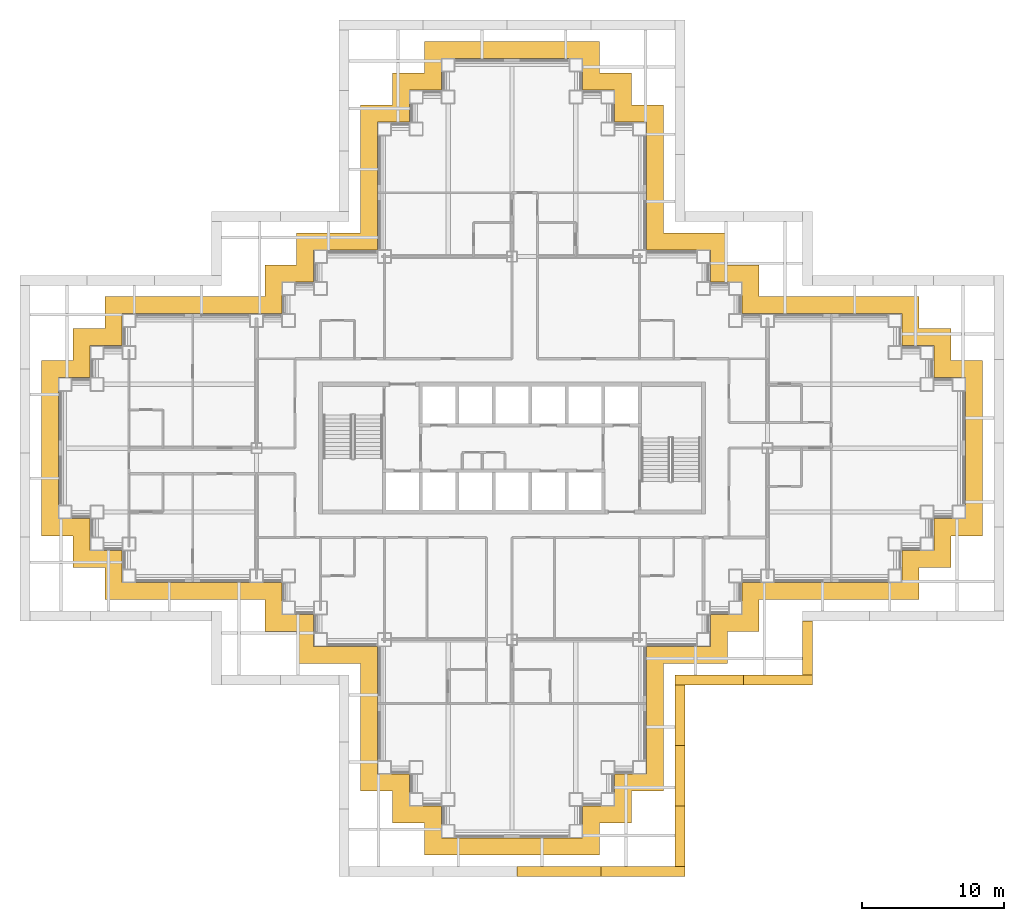
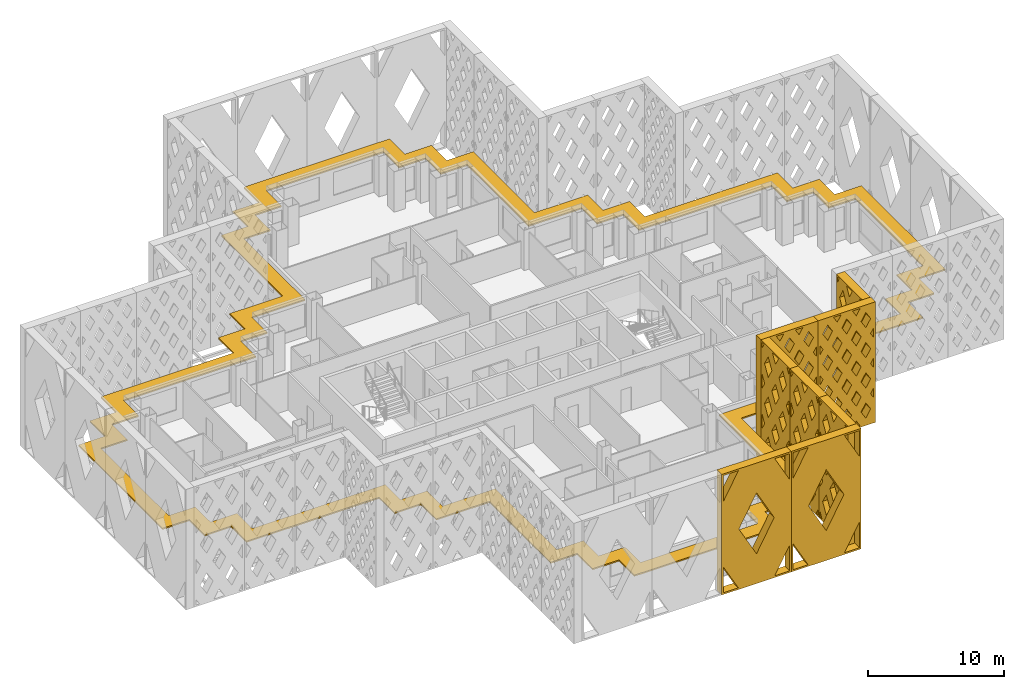
# One storey, part 15 of 19: 9 shading devices.
"""IFC4 building model written with IfcOpenShell, lengths in metres."""

from ifc_helpers import new_model, si_unit, direction, frame, origin, place, context, subcontext, project, spatial, polyline, outline, extrude, material, layer, layer_set, type_object, element, save


model = new_model("IFC4")

# Units and contexts
model_context = context("Model", 3, precision=1e-05, world=origin(), true_north=direction((0.0, 1.0)))
body_context = subcontext(model_context, "Body", "Model", "MODEL_VIEW")
ifc_project = project(units=[si_unit("LENGTHUNIT", "METRE"), si_unit("AREAUNIT", "SQUARE_METRE"), si_unit("VOLUMEUNIT", "CUBIC_METRE"), si_unit("PLANEANGLEUNIT", "RADIAN"), si_unit("MASSUNIT", "GRAM", prefix="KILO")], contexts=[model_context])

# Site, building, storey
site_placement = place(None, origin())
site = spatial("IfcSite", under=ifc_project, at=site_placement, CompositionType="ELEMENT")
building_placement = place(site_placement, origin())
building = spatial("IfcBuilding", under=site, at=building_placement, Name="Caravel Reach Hotel and Residences", CompositionType="ELEMENT")
storey_placement = place(building_placement, frame((0.0, 0.0, 85.199951171875)))
storey = spatial("IfcBuildingStorey", under=building, at=storey_placement, Name="L20", CompositionType="ELEMENT", Elevation=85.199951171875)

# Shading devices
ifc_material_1 = material(Name="Black powder-coated aluminium", Category="aluminium")
shading_device_type_1 = type_object("IfcShadingDeviceType", Name="Diamond lattice screen panel 3800 x 10800", PredefinedType="USERDEFINED", material=ifc_material_1)
shading_device_1_placement = place(storey_placement, frame((51.97509765625, 11.02490234375, 0.0), z_axis=(1.0, 0.0, 0.0), x_axis=(0.0, 1.0, 0.0)))
element("IfcShadingDevice", 1, at=shading_device_1_placement, inside=storey, type_object=shading_device_type_1, Name="Lattice screen L20-L22 5.1", ObjectType="SCREEN", PredefinedType="USERDEFINED", context=body_context, shape_type="SweptSolid", body=[
    extrude(outline(polyline([(0.0, 0.0), (3.800048828125, 0.0), (3.800048828125, 10.800048828125), (0.0, 10.800048828125), (0.0, 0.0)]), holes=[polyline([(0.41015625, 0.14990234375), (0.14990234375, 0.64306640625), (0.14990234375, 0.14990234375), (0.41015625, 0.14990234375)]), polyline([(0.489501953125, 3.60009765625), (0.14990234375, 4.2431640625), (0.14990234375, 2.956787109375), (0.489501953125, 3.60009765625)]), polyline([(0.489501953125, 7.199951171875), (0.14990234375, 7.843017578125), (0.14990234375, 6.556884765625), (0.489501953125, 7.199951171875)]), polyline([(0.14990234375, 10.156982421875), (0.41015625, 10.64990234375), (0.14990234375, 10.64990234375), (0.14990234375, 10.156982421875)]), polyline([(0.949951171875, 2.727294921875), (0.460693359375, 1.800048828125), (0.949951171875, 0.872802734375), (1.439453125, 1.800048828125), (0.949951171875, 2.727294921875)]), polyline([(0.949951171875, 6.327392578125), (0.460693359375, 5.39990234375), (0.949951171875, 4.47265625), (1.439453125, 5.39990234375), (0.949951171875, 6.327392578125)]), polyline([(0.949951171875, 9.92724609375), (0.460693359375, 9.0), (0.949951171875, 8.07275390625), (1.439453125, 9.0), (0.949951171875, 9.92724609375)]), polyline([(1.89990234375, 0.92724609375), (1.48974609375, 0.14990234375), (2.310302734375, 0.14990234375), (1.89990234375, 0.92724609375)]), polyline([(1.89990234375, 4.52734375), (1.41064453125, 3.60009765625), (1.89990234375, 2.672607421875), (2.389404296875, 3.60009765625), (1.89990234375, 4.52734375)]), polyline([(1.89990234375, 8.127197265625), (1.41064453125, 7.199951171875), (1.89990234375, 6.272705078125), (2.389404296875, 7.199951171875), (1.89990234375, 8.127197265625)]), polyline([(1.89990234375, 9.872802734375), (2.310302734375, 10.64990234375), (1.48974609375, 10.64990234375), (1.89990234375, 9.872802734375)]), polyline([(2.85009765625, 2.727294921875), (2.360595703125, 1.800048828125), (2.85009765625, 0.872802734375), (3.33935546875, 1.800048828125), (2.85009765625, 2.727294921875)]), polyline([(2.85009765625, 6.327392578125), (2.360595703125, 5.39990234375), (2.85009765625, 4.47265625), (3.33935546875, 5.39990234375), (2.85009765625, 6.327392578125)]), polyline([(2.85009765625, 9.92724609375), (2.360595703125, 9.0), (2.85009765625, 8.07275390625), (3.33935546875, 9.0), (2.85009765625, 9.92724609375)]), polyline([(3.64990234375, 0.64306640625), (3.3896484375, 0.14990234375), (3.64990234375, 0.14990234375), (3.64990234375, 0.64306640625)]), polyline([(3.310546875, 3.60009765625), (3.64990234375, 2.956787109375), (3.64990234375, 4.2431640625), (3.310546875, 3.60009765625)]), polyline([(3.310546875, 7.199951171875), (3.64990234375, 6.556884765625), (3.64990234375, 7.843017578125), (3.310546875, 7.199951171875)]), polyline([(3.3896484375, 10.64990234375), (3.64990234375, 10.156982421875), (3.64990234375, 10.64990234375), (3.3896484375, 10.64990234375)])]), origin(), (0.0, 0.0, 1.0), 0.699951171875),
])
ifc_material_2 = material(Name="Black powder-coated aluminium", Category="aluminium")
shading_device_type_2 = type_object("IfcShadingDeviceType", Name="Diamond lattice screen panel 4267 x 10800", PredefinedType="USERDEFINED", material=ifc_material_2)
shading_device_2_placement = place(storey_placement, frame((42.97509765625, -2.47509765625, 0.0), z_axis=(1.0, 0.0, 0.0), x_axis=(0.0, 1.0, 0.0)))
element("IfcShadingDevice", 2, at=shading_device_2_placement, inside=storey, type_object=shading_device_type_2, Name="Lattice screen L20-L22 3.1", ObjectType="SCREEN", PredefinedType="USERDEFINED", context=body_context, shape_type="SweptSolid", body=[
    extrude(outline(polyline([(0.0, 0.0), (4.2666015625, 0.0), (4.2666015625, 10.800048828125), (0.0, 10.800048828125), (0.0, 0.0)]), holes=[polyline([(0.457275390625, 0.14990234375), (0.14990234375, 0.66845703125), (0.14990234375, 0.14990234375), (0.457275390625, 0.14990234375)]), polyline([(0.546142578125, 3.60009765625), (0.14990234375, 4.2685546875), (0.14990234375, 2.931396484375), (0.546142578125, 3.60009765625)]), polyline([(0.546142578125, 7.199951171875), (0.14990234375, 7.868408203125), (0.14990234375, 6.531494140625), (0.546142578125, 7.199951171875)]), polyline([(0.14990234375, 10.131591796875), (0.457275390625, 10.64990234375), (0.14990234375, 10.64990234375), (0.14990234375, 10.131591796875)]), polyline([(1.066650390625, 2.7216796875), (0.5205078125, 1.800048828125), (1.066650390625, 0.87841796875), (1.61279296875, 1.800048828125), (1.066650390625, 2.7216796875)]), polyline([(1.066650390625, 6.321533203125), (0.5205078125, 5.39990234375), (1.066650390625, 4.478271484375), (1.61279296875, 5.39990234375), (1.066650390625, 6.321533203125)]), polyline([(1.066650390625, 9.921630859375), (0.5205078125, 9.0), (1.066650390625, 8.078369140625), (1.61279296875, 9.0), (1.066650390625, 9.921630859375)]), polyline([(2.13330078125, 0.921630859375), (1.676025390625, 0.14990234375), (2.590576171875, 0.14990234375), (2.13330078125, 0.921630859375)]), polyline([(2.13330078125, 4.521728515625), (1.587158203125, 3.60009765625), (2.13330078125, 2.678466796875), (2.679443359375, 3.60009765625), (2.13330078125, 4.521728515625)]), polyline([(2.13330078125, 8.12158203125), (1.587158203125, 7.199951171875), (2.13330078125, 6.2783203125), (2.679443359375, 7.199951171875), (2.13330078125, 8.12158203125)]), polyline([(2.13330078125, 9.87841796875), (2.590576171875, 10.64990234375), (1.676025390625, 10.64990234375), (2.13330078125, 9.87841796875)]), polyline([(3.199951171875, 2.7216796875), (2.65380859375, 1.800048828125), (3.199951171875, 0.87841796875), (3.74609375, 1.800048828125), (3.199951171875, 2.7216796875)]), polyline([(3.199951171875, 6.321533203125), (2.65380859375, 5.39990234375), (3.199951171875, 4.478271484375), (3.74609375, 5.39990234375), (3.199951171875, 6.321533203125)]), polyline([(3.199951171875, 9.921630859375), (2.65380859375, 9.0), (3.199951171875, 8.078369140625), (3.74609375, 9.0), (3.199951171875, 9.921630859375)]), polyline([(4.11669921875, 0.66845703125), (3.809326171875, 0.14990234375), (4.11669921875, 0.14990234375), (4.11669921875, 0.66845703125)]), polyline([(3.720458984375, 3.60009765625), (4.11669921875, 2.931396484375), (4.11669921875, 4.2685546875), (3.720458984375, 3.60009765625)]), polyline([(3.720458984375, 7.199951171875), (4.11669921875, 6.531494140625), (4.11669921875, 7.868408203125), (3.720458984375, 7.199951171875)]), polyline([(3.809326171875, 10.64990234375), (4.11669921875, 10.131591796875), (4.11669921875, 10.64990234375), (3.809326171875, 10.64990234375)])]), origin(), (0.0, 0.0, 1.0), 0.699951171875),
])
shading_device_3_placement = place(storey_placement, frame((42.97509765625, 1.791748046875, 0.0), z_axis=(1.0, 0.0, 0.0), x_axis=(0.0, 1.0, 0.0)))
element("IfcShadingDevice", 3, at=shading_device_3_placement, inside=storey, type_object=shading_device_type_2, Name="Lattice screen L20-L22 3.2", ObjectType="SCREEN", PredefinedType="USERDEFINED", context=body_context, shape_type="SweptSolid", body=[
    extrude(outline(polyline([(0.0, 0.0), (4.2666015625, 0.0), (4.2666015625, 10.800048828125), (0.0, 10.800048828125), (0.0, 0.0)]), holes=[polyline([(0.457275390625, 0.14990234375), (0.14990234375, 0.66845703125), (0.14990234375, 0.14990234375), (0.457275390625, 0.14990234375)]), polyline([(0.546142578125, 3.60009765625), (0.14990234375, 4.2685546875), (0.14990234375, 2.931396484375), (0.546142578125, 3.60009765625)]), polyline([(0.546142578125, 7.199951171875), (0.14990234375, 7.868408203125), (0.14990234375, 6.531494140625), (0.546142578125, 7.199951171875)]), polyline([(0.14990234375, 10.131591796875), (0.457275390625, 10.64990234375), (0.14990234375, 10.64990234375), (0.14990234375, 10.131591796875)]), polyline([(1.066650390625, 2.7216796875), (0.5205078125, 1.800048828125), (1.066650390625, 0.87841796875), (1.61279296875, 1.800048828125), (1.066650390625, 2.7216796875)]), polyline([(1.066650390625, 6.321533203125), (0.5205078125, 5.39990234375), (1.066650390625, 4.478271484375), (1.61279296875, 5.39990234375), (1.066650390625, 6.321533203125)]), polyline([(1.066650390625, 9.921630859375), (0.5205078125, 9.0), (1.066650390625, 8.078369140625), (1.61279296875, 9.0), (1.066650390625, 9.921630859375)]), polyline([(2.13330078125, 0.921630859375), (1.676025390625, 0.14990234375), (2.590576171875, 0.14990234375), (2.13330078125, 0.921630859375)]), polyline([(2.13330078125, 4.521728515625), (1.587158203125, 3.60009765625), (2.13330078125, 2.678466796875), (2.679443359375, 3.60009765625), (2.13330078125, 4.521728515625)]), polyline([(2.13330078125, 8.12158203125), (1.587158203125, 7.199951171875), (2.13330078125, 6.2783203125), (2.679443359375, 7.199951171875), (2.13330078125, 8.12158203125)]), polyline([(2.13330078125, 9.87841796875), (2.590576171875, 10.64990234375), (1.676025390625, 10.64990234375), (2.13330078125, 9.87841796875)]), polyline([(3.199951171875, 2.7216796875), (2.65380859375, 1.800048828125), (3.199951171875, 0.87841796875), (3.74609375, 1.800048828125), (3.199951171875, 2.7216796875)]), polyline([(3.199951171875, 6.321533203125), (2.65380859375, 5.39990234375), (3.199951171875, 4.478271484375), (3.74609375, 5.39990234375), (3.199951171875, 6.321533203125)]), polyline([(3.199951171875, 9.921630859375), (2.65380859375, 9.0), (3.199951171875, 8.078369140625), (3.74609375, 9.0), (3.199951171875, 9.921630859375)]), polyline([(4.11669921875, 0.66845703125), (3.809326171875, 0.14990234375), (4.11669921875, 0.14990234375), (4.11669921875, 0.66845703125)]), polyline([(3.720458984375, 3.60009765625), (4.11669921875, 2.931396484375), (4.11669921875, 4.2685546875), (3.720458984375, 3.60009765625)]), polyline([(3.720458984375, 7.199951171875), (4.11669921875, 6.531494140625), (4.11669921875, 7.868408203125), (3.720458984375, 7.199951171875)]), polyline([(3.809326171875, 10.64990234375), (4.11669921875, 10.131591796875), (4.11669921875, 10.64990234375), (3.809326171875, 10.64990234375)])]), origin(), (0.0, 0.0, 1.0), 0.699951171875),
])
shading_device_4_placement = place(storey_placement, frame((42.97509765625, 6.058349609375, 0.0), z_axis=(1.0, 0.0, 0.0), x_axis=(0.0, 1.0, 0.0)))
element("IfcShadingDevice", 4, at=shading_device_4_placement, inside=storey, type_object=shading_device_type_2, Name="Lattice screen L20-L22 3.3", ObjectType="SCREEN", PredefinedType="USERDEFINED", context=body_context, shape_type="SweptSolid", body=[
    extrude(outline(polyline([(0.0, 0.0), (4.2666015625, 0.0), (4.2666015625, 10.800048828125), (0.0, 10.800048828125), (0.0, 0.0)]), holes=[polyline([(0.457275390625, 0.14990234375), (0.14990234375, 0.66845703125), (0.14990234375, 0.14990234375), (0.457275390625, 0.14990234375)]), polyline([(0.546142578125, 3.60009765625), (0.14990234375, 4.2685546875), (0.14990234375, 2.931396484375), (0.546142578125, 3.60009765625)]), polyline([(0.546142578125, 7.199951171875), (0.14990234375, 7.868408203125), (0.14990234375, 6.531494140625), (0.546142578125, 7.199951171875)]), polyline([(0.14990234375, 10.131591796875), (0.457275390625, 10.64990234375), (0.14990234375, 10.64990234375), (0.14990234375, 10.131591796875)]), polyline([(1.066650390625, 2.7216796875), (0.5205078125, 1.800048828125), (1.066650390625, 0.87841796875), (1.61279296875, 1.800048828125), (1.066650390625, 2.7216796875)]), polyline([(1.066650390625, 6.321533203125), (0.5205078125, 5.39990234375), (1.066650390625, 4.478271484375), (1.61279296875, 5.39990234375), (1.066650390625, 6.321533203125)]), polyline([(1.066650390625, 9.921630859375), (0.5205078125, 9.0), (1.066650390625, 8.078369140625), (1.61279296875, 9.0), (1.066650390625, 9.921630859375)]), polyline([(2.13330078125, 0.921630859375), (1.676025390625, 0.14990234375), (2.590576171875, 0.14990234375), (2.13330078125, 0.921630859375)]), polyline([(2.13330078125, 4.521728515625), (1.587158203125, 3.60009765625), (2.13330078125, 2.678466796875), (2.679443359375, 3.60009765625), (2.13330078125, 4.521728515625)]), polyline([(2.13330078125, 8.12158203125), (1.587158203125, 7.199951171875), (2.13330078125, 6.2783203125), (2.679443359375, 7.199951171875), (2.13330078125, 8.12158203125)]), polyline([(2.13330078125, 9.87841796875), (2.590576171875, 10.64990234375), (1.676025390625, 10.64990234375), (2.13330078125, 9.87841796875)]), polyline([(3.199951171875, 2.7216796875), (2.65380859375, 1.800048828125), (3.199951171875, 0.87841796875), (3.74609375, 1.800048828125), (3.199951171875, 2.7216796875)]), polyline([(3.199951171875, 6.321533203125), (2.65380859375, 5.39990234375), (3.199951171875, 4.478271484375), (3.74609375, 5.39990234375), (3.199951171875, 6.321533203125)]), polyline([(3.199951171875, 9.921630859375), (2.65380859375, 9.0), (3.199951171875, 8.078369140625), (3.74609375, 9.0), (3.199951171875, 9.921630859375)]), polyline([(4.11669921875, 0.66845703125), (3.809326171875, 0.14990234375), (4.11669921875, 0.14990234375), (4.11669921875, 0.66845703125)]), polyline([(3.720458984375, 3.60009765625), (4.11669921875, 2.931396484375), (4.11669921875, 4.2685546875), (3.720458984375, 3.60009765625)]), polyline([(3.720458984375, 7.199951171875), (4.11669921875, 6.531494140625), (4.11669921875, 7.868408203125), (3.720458984375, 7.199951171875)]), polyline([(3.809326171875, 10.64990234375), (4.11669921875, 10.131591796875), (4.11669921875, 10.64990234375), (3.809326171875, 10.64990234375)])]), origin(), (0.0, 0.0, 1.0), 0.699951171875),
])
ifc_material_3 = material(Name="Black powder-coated aluminium", Category="aluminium")
shading_device_type_3 = type_object("IfcShadingDeviceType", Name="Diamond lattice screen panel 4850 x 10800", PredefinedType="USERDEFINED", material=ifc_material_3)
shading_device_5_placement = place(storey_placement, frame((42.97509765625, 11.02490234375, 0.0), z_axis=(0.0, -1.0, 0.0), x_axis=(1.0, 0.0, 0.0)))
element("IfcShadingDevice", 5, at=shading_device_5_placement, inside=storey, type_object=shading_device_type_3, Name="Lattice screen L20-L22 4.1", ObjectType="SCREEN", PredefinedType="USERDEFINED", context=body_context, shape_type="SweptSolid", body=[
    extrude(outline(polyline([(0.0, 0.0), (4.85009765625, 0.0), (4.85009765625, 10.800048828125), (0.0, 10.800048828125), (0.0, 0.0)]), holes=[polyline([(0.410888671875, 2.699951171875), (0.14990234375, 3.1357421875), (0.14990234375, 2.26416015625), (0.410888671875, 2.699951171875)]), polyline([(0.410888671875, 5.39990234375), (0.14990234375, 5.835693359375), (0.14990234375, 4.964111328125), (0.410888671875, 5.39990234375)]), polyline([(0.410888671875, 8.10009765625), (0.14990234375, 8.535888671875), (0.14990234375, 7.664306640625), (0.410888671875, 8.10009765625)]), polyline([(0.808349609375, 2.036376953125), (0.3974609375, 1.35009765625), (0.808349609375, 0.663818359375), (1.21923828125, 1.35009765625), (0.808349609375, 2.036376953125)]), polyline([(0.808349609375, 4.736328125), (0.3974609375, 4.050048828125), (0.808349609375, 3.36376953125), (1.21923828125, 4.050048828125), (0.808349609375, 4.736328125)]), polyline([(0.808349609375, 7.436279296875), (0.3974609375, 6.75), (0.808349609375, 6.063720703125), (1.21923828125, 6.75), (0.808349609375, 7.436279296875)]), polyline([(0.808349609375, 10.13623046875), (0.3974609375, 9.449951171875), (0.808349609375, 8.763671875), (1.21923828125, 9.449951171875), (0.808349609375, 10.13623046875)]), polyline([(1.61669921875, 0.686279296875), (1.295654296875, 0.14990234375), (1.937744140625, 0.14990234375), (1.61669921875, 0.686279296875)]), polyline([(1.61669921875, 3.38623046875), (1.205810546875, 2.699951171875), (1.61669921875, 2.013671875), (2.027587890625, 2.699951171875), (1.61669921875, 3.38623046875)]), polyline([(1.61669921875, 6.086181640625), (1.205810546875, 5.39990234375), (1.61669921875, 4.713623046875), (2.027587890625, 5.39990234375), (1.61669921875, 6.086181640625)]), polyline([(1.61669921875, 8.786376953125), (1.205810546875, 8.10009765625), (1.61669921875, 7.413818359375), (2.027587890625, 8.10009765625), (1.61669921875, 8.786376953125)]), polyline([(1.61669921875, 10.11376953125), (1.937744140625, 10.64990234375), (1.295654296875, 10.64990234375), (1.61669921875, 10.11376953125)]), polyline([(2.425048828125, 2.036376953125), (2.01416015625, 1.35009765625), (2.425048828125, 0.663818359375), (2.8359375, 1.35009765625), (2.425048828125, 2.036376953125)]), polyline([(2.425048828125, 4.736328125), (2.01416015625, 4.050048828125), (2.425048828125, 3.36376953125), (2.8359375, 4.050048828125), (2.425048828125, 4.736328125)]), polyline([(2.425048828125, 7.436279296875), (2.01416015625, 6.75), (2.425048828125, 6.063720703125), (2.8359375, 6.75), (2.425048828125, 7.436279296875)]), polyline([(2.425048828125, 10.13623046875), (2.01416015625, 9.449951171875), (2.425048828125, 8.763671875), (2.8359375, 9.449951171875), (2.425048828125, 10.13623046875)]), polyline([(3.2333984375, 0.686279296875), (2.912109375, 0.14990234375), (3.554443359375, 0.14990234375), (3.2333984375, 0.686279296875)]), polyline([(3.2333984375, 3.38623046875), (2.822509765625, 2.699951171875), (3.2333984375, 2.013671875), (3.644287109375, 2.699951171875), (3.2333984375, 3.38623046875)]), polyline([(3.2333984375, 6.086181640625), (2.822509765625, 5.39990234375), (3.2333984375, 4.713623046875), (3.644287109375, 5.39990234375), (3.2333984375, 6.086181640625)]), polyline([(3.2333984375, 8.786376953125), (2.822509765625, 8.10009765625), (3.2333984375, 7.413818359375), (3.644287109375, 8.10009765625), (3.2333984375, 8.786376953125)]), polyline([(3.2333984375, 10.11376953125), (3.554443359375, 10.64990234375), (2.912109375, 10.64990234375), (3.2333984375, 10.11376953125)]), polyline([(4.041748046875, 2.036376953125), (3.630859375, 1.35009765625), (4.041748046875, 0.663818359375), (4.45263671875, 1.35009765625), (4.041748046875, 2.036376953125)]), polyline([(4.041748046875, 4.736328125), (3.630859375, 4.050048828125), (4.041748046875, 3.36376953125), (4.45263671875, 4.050048828125), (4.041748046875, 4.736328125)]), polyline([(4.041748046875, 7.436279296875), (3.630859375, 6.75), (4.041748046875, 6.063720703125), (4.45263671875, 6.75), (4.041748046875, 7.436279296875)]), polyline([(4.041748046875, 10.13623046875), (3.630859375, 9.449951171875), (4.041748046875, 8.763671875), (4.45263671875, 9.449951171875), (4.041748046875, 10.13623046875)]), polyline([(4.43896484375, 2.699951171875), (4.699951171875, 2.26416015625), (4.699951171875, 3.1357421875), (4.43896484375, 2.699951171875)]), polyline([(4.43896484375, 5.39990234375), (4.699951171875, 4.964111328125), (4.699951171875, 5.835693359375), (4.43896484375, 5.39990234375)]), polyline([(4.43896484375, 8.10009765625), (4.699951171875, 7.664306640625), (4.699951171875, 8.535888671875), (4.43896484375, 8.10009765625)])]), origin(), (0.0, 0.0, 1.0), 0.699951171875),
])
shading_device_6_placement = place(storey_placement, frame((47.824951171875, 11.02490234375, 0.0), z_axis=(0.0, -1.0, 0.0), x_axis=(1.0, 0.0, 0.0)))
element("IfcShadingDevice", 6, at=shading_device_6_placement, inside=storey, type_object=shading_device_type_3, Name="Lattice screen L20-L22 4.2", ObjectType="SCREEN", PredefinedType="USERDEFINED", context=body_context, shape_type="SweptSolid", body=[
    extrude(outline(polyline([(0.0, 0.0), (4.85009765625, 0.0), (4.85009765625, 10.800048828125), (0.0, 10.800048828125), (0.0, 0.0)]), holes=[polyline([(0.410888671875, 2.699951171875), (0.14990234375, 3.1357421875), (0.14990234375, 2.26416015625), (0.410888671875, 2.699951171875)]), polyline([(0.410888671875, 5.39990234375), (0.14990234375, 5.835693359375), (0.14990234375, 4.964111328125), (0.410888671875, 5.39990234375)]), polyline([(0.410888671875, 8.10009765625), (0.14990234375, 8.535888671875), (0.14990234375, 7.664306640625), (0.410888671875, 8.10009765625)]), polyline([(0.808349609375, 2.036376953125), (0.3974609375, 1.35009765625), (0.808349609375, 0.663818359375), (1.21923828125, 1.35009765625), (0.808349609375, 2.036376953125)]), polyline([(0.808349609375, 4.736328125), (0.3974609375, 4.050048828125), (0.808349609375, 3.36376953125), (1.21923828125, 4.050048828125), (0.808349609375, 4.736328125)]), polyline([(0.808349609375, 7.436279296875), (0.3974609375, 6.75), (0.808349609375, 6.063720703125), (1.21923828125, 6.75), (0.808349609375, 7.436279296875)]), polyline([(0.808349609375, 10.13623046875), (0.3974609375, 9.449951171875), (0.808349609375, 8.763671875), (1.21923828125, 9.449951171875), (0.808349609375, 10.13623046875)]), polyline([(1.61669921875, 0.686279296875), (1.295654296875, 0.14990234375), (1.937744140625, 0.14990234375), (1.61669921875, 0.686279296875)]), polyline([(1.61669921875, 3.38623046875), (1.205810546875, 2.699951171875), (1.61669921875, 2.013671875), (2.027587890625, 2.699951171875), (1.61669921875, 3.38623046875)]), polyline([(1.61669921875, 6.086181640625), (1.205810546875, 5.39990234375), (1.61669921875, 4.713623046875), (2.027587890625, 5.39990234375), (1.61669921875, 6.086181640625)]), polyline([(1.61669921875, 8.786376953125), (1.205810546875, 8.10009765625), (1.61669921875, 7.413818359375), (2.027587890625, 8.10009765625), (1.61669921875, 8.786376953125)]), polyline([(1.61669921875, 10.11376953125), (1.937744140625, 10.64990234375), (1.295654296875, 10.64990234375), (1.61669921875, 10.11376953125)]), polyline([(2.425048828125, 2.036376953125), (2.01416015625, 1.35009765625), (2.425048828125, 0.663818359375), (2.8359375, 1.35009765625), (2.425048828125, 2.036376953125)]), polyline([(2.425048828125, 4.736328125), (2.01416015625, 4.050048828125), (2.425048828125, 3.36376953125), (2.8359375, 4.050048828125), (2.425048828125, 4.736328125)]), polyline([(2.425048828125, 7.436279296875), (2.01416015625, 6.75), (2.425048828125, 6.063720703125), (2.8359375, 6.75), (2.425048828125, 7.436279296875)]), polyline([(2.425048828125, 10.13623046875), (2.01416015625, 9.449951171875), (2.425048828125, 8.763671875), (2.8359375, 9.449951171875), (2.425048828125, 10.13623046875)]), polyline([(3.2333984375, 0.686279296875), (2.912109375, 0.14990234375), (3.554443359375, 0.14990234375), (3.2333984375, 0.686279296875)]), polyline([(3.2333984375, 3.38623046875), (2.822509765625, 2.699951171875), (3.2333984375, 2.013671875), (3.644287109375, 2.699951171875), (3.2333984375, 3.38623046875)]), polyline([(3.2333984375, 6.086181640625), (2.822509765625, 5.39990234375), (3.2333984375, 4.713623046875), (3.644287109375, 5.39990234375), (3.2333984375, 6.086181640625)]), polyline([(3.2333984375, 8.786376953125), (2.822509765625, 8.10009765625), (3.2333984375, 7.413818359375), (3.644287109375, 8.10009765625), (3.2333984375, 8.786376953125)]), polyline([(3.2333984375, 10.11376953125), (3.554443359375, 10.64990234375), (2.912109375, 10.64990234375), (3.2333984375, 10.11376953125)]), polyline([(4.041748046875, 2.036376953125), (3.630859375, 1.35009765625), (4.041748046875, 0.663818359375), (4.45263671875, 1.35009765625), (4.041748046875, 2.036376953125)]), polyline([(4.041748046875, 4.736328125), (3.630859375, 4.050048828125), (4.041748046875, 3.36376953125), (4.45263671875, 4.050048828125), (4.041748046875, 4.736328125)]), polyline([(4.041748046875, 7.436279296875), (3.630859375, 6.75), (4.041748046875, 6.063720703125), (4.45263671875, 6.75), (4.041748046875, 7.436279296875)]), polyline([(4.041748046875, 10.13623046875), (3.630859375, 9.449951171875), (4.041748046875, 8.763671875), (4.45263671875, 9.449951171875), (4.041748046875, 10.13623046875)]), polyline([(4.43896484375, 2.699951171875), (4.699951171875, 2.26416015625), (4.699951171875, 3.1357421875), (4.43896484375, 2.699951171875)]), polyline([(4.43896484375, 5.39990234375), (4.699951171875, 4.964111328125), (4.699951171875, 5.835693359375), (4.43896484375, 5.39990234375)]), polyline([(4.43896484375, 8.10009765625), (4.699951171875, 7.664306640625), (4.699951171875, 8.535888671875), (4.43896484375, 8.10009765625)])]), origin(), (0.0, 0.0, 1.0), 0.699951171875),
])
ifc_material_4 = material(Name="Black powder-coated aluminium", Category="aluminium")
shading_device_type_4 = type_object("IfcShadingDeviceType", Name="Diamond lattice screen panel 5913 x 10800", PredefinedType="USERDEFINED", material=ifc_material_4)
for number, where, z_axis, x_axis, name in (
    (7, (31.85009765625, -2.47509765625, 0.0), (0.0, -1.0, 0.0), (1.0, 0.0, 0.0), "Lattice screen L20-L22 2.3"),
    (8, (37.762451171875, -2.47509765625, 0.0), (0.0, -1.0, 0.0), (1.0, 0.0, 0.0), "Lattice screen L20-L22 2.4"),
):
    element("IfcShadingDevice", number, at=place(storey_placement, frame(where, z_axis=z_axis, x_axis=x_axis)), inside=storey, type_object=shading_device_type_4, Name=name, ObjectType="SCREEN", PredefinedType="USERDEFINED", context=body_context, shape_type="SweptSolid", body=[
        extrude(outline(polyline([(0.0, 0.0), (5.91259765625, 0.0), (5.91259765625, 10.800048828125), (0.0, 10.800048828125), (0.0, 0.0)]), holes=[polyline([(1.415771484375, 0.14990234375), (0.14990234375, 2.4619140625), (0.14990234375, 0.14990234375), (1.415771484375, 0.14990234375)]), polyline([(0.14990234375, 8.338134765625), (1.415771484375, 10.64990234375), (0.14990234375, 10.64990234375), (0.14990234375, 8.338134765625)]), polyline([(2.956298828125, 8.135986328125), (1.45849609375, 5.39990234375), (2.956298828125, 2.6640625), (4.4541015625, 5.39990234375), (2.956298828125, 8.135986328125)]), polyline([(5.762451171875, 2.4619140625), (4.496826171875, 0.14990234375), (5.762451171875, 0.14990234375), (5.762451171875, 2.4619140625)]), polyline([(4.496826171875, 10.64990234375), (5.762451171875, 8.338134765625), (5.762451171875, 10.64990234375), (4.496826171875, 10.64990234375)])]), origin(), (0.0, 0.0, 1.0), 0.699951171875),
    ])
ifc_material_5 = material(Name="Black powder-coated aluminium", Category="aluminium")
ifc_layer = layer(ifc_material_5, 0.1201171875)
ifc_layer_set = layer_set([ifc_layer], Name="SS1 Sunshade band 1200")
shading_device_type_5 = type_object("IfcShadingDeviceType", Name="SS1 Sunshade band 1200", PredefinedType="USERDEFINED", material=ifc_layer_set)
shading_device_7_placement = place(storey_placement, frame((0.0, 0.0, 3.0400390625)))
element("IfcShadingDevice", 9, at=shading_device_7_placement, inside=storey, type_object=shading_device_type_5, Name="Sunshade L20 1", ObjectType="SUNSHADE", PredefinedType="USERDEFINED", context=body_context, shape_type="SweptSolid", body=[
    extrude(outline(polyline([(20.824951171875, 11.824951171875), (20.824951171875, 2.824951171875), (23.074951171875, 2.824951171875), (23.074951171875, 0.574951171875), (25.324951171875, 0.574951171875), (25.324951171875, -1.675048828125), (37.675048828125, -1.675048828125), (37.675048828125, 0.574951171875), (39.925048828125, 0.574951171875), (39.925048828125, 2.824951171875), (42.175048828125, 2.824951171875), (42.175048828125, 11.824951171875), (46.675048828125, 11.824951171875), (46.675048828125, 14.074951171875), (48.925048828125, 14.074951171875), (48.925048828125, 16.324951171875), (60.175048828125, 16.324951171875), (60.175048828125, 18.574951171875), (62.425048828125, 18.574951171875), (62.425048828125, 20.824951171875), (64.675048828125, 20.824951171875), (64.675048828125, 33.175048828125), (62.425048828125, 33.175048828125), (62.425048828125, 35.425048828125), (60.175048828125, 35.425048828125), (60.175048828125, 37.675048828125), (48.925048828125, 37.675048828125), (48.925048828125, 39.925048828125), (46.675048828125, 39.925048828125), (46.675048828125, 42.175048828125), (42.175048828125, 42.175048828125), (42.175048828125, 51.175048828125), (39.925048828125, 51.175048828125), (39.925048828125, 53.425048828125), (37.675048828125, 53.425048828125), (37.675048828125, 55.675048828125), (25.324951171875, 55.675048828125), (25.324951171875, 53.425048828125), (23.074951171875, 53.425048828125), (23.074951171875, 51.175048828125), (20.824951171875, 51.175048828125), (20.824951171875, 42.175048828125), (16.324951171875, 42.175048828125), (16.324951171875, 39.925048828125), (14.074951171875, 39.925048828125), (14.074951171875, 37.675048828125), (2.824951171875, 37.675048828125), (2.824951171875, 35.425048828125), (0.574951171875, 35.425048828125), (0.574951171875, 33.175048828125), (-1.675048828125, 33.175048828125), (-1.675048828125, 20.824951171875), (0.574951171875, 20.824951171875), (0.574951171875, 18.574951171875), (2.824951171875, 18.574951171875), (2.824951171875, 16.324951171875), (14.074951171875, 16.324951171875), (14.074951171875, 14.074951171875), (16.324951171875, 14.074951171875), (16.324951171875, 11.824951171875), (20.824951171875, 11.824951171875)]), holes=[polyline([(24.27490234375, 4.02490234375), (22.02490234375, 4.02490234375), (22.02490234375, 13.02490234375), (17.52490234375, 13.02490234375), (17.52490234375, 15.27490234375), (15.27490234375, 15.27490234375), (15.27490234375, 17.52490234375), (4.02490234375, 17.52490234375), (4.02490234375, 19.77490234375), (1.77490234375, 19.77490234375), (1.77490234375, 22.02490234375), (-0.47509765625, 22.02490234375), (-0.47509765625, 31.97509765625), (1.77490234375, 31.97509765625), (1.77490234375, 34.22509765625), (4.02490234375, 34.22509765625), (4.02490234375, 36.47509765625), (15.27490234375, 36.47509765625), (15.27490234375, 38.72509765625), (17.52490234375, 38.72509765625), (17.52490234375, 40.97509765625), (22.02490234375, 40.97509765625), (22.02490234375, 49.97509765625), (24.27490234375, 49.97509765625), (24.27490234375, 52.22509765625), (26.52490234375, 52.22509765625), (26.52490234375, 54.47509765625), (36.47509765625, 54.47509765625), (36.47509765625, 52.22509765625), (38.72509765625, 52.22509765625), (38.72509765625, 49.97509765625), (40.97509765625, 49.97509765625), (40.97509765625, 40.97509765625), (45.47509765625, 40.97509765625), (45.47509765625, 38.72509765625), (47.72509765625, 38.72509765625), (47.72509765625, 36.47509765625), (58.97509765625, 36.47509765625), (58.97509765625, 34.22509765625), (61.22509765625, 34.22509765625), (61.22509765625, 31.97509765625), (63.47509765625, 31.97509765625), (63.47509765625, 22.02490234375), (61.22509765625, 22.02490234375), (61.22509765625, 19.77490234375), (58.97509765625, 19.77490234375), (58.97509765625, 17.52490234375), (47.72509765625, 17.52490234375), (47.72509765625, 15.27490234375), (45.47509765625, 15.27490234375), (45.47509765625, 13.02490234375), (40.97509765625, 13.02490234375), (40.97509765625, 4.02490234375), (38.72509765625, 4.02490234375), (38.72509765625, 1.77490234375), (36.47509765625, 1.77490234375), (36.47509765625, -0.47509765625), (26.52490234375, -0.47509765625), (26.52490234375, 1.77490234375), (24.27490234375, 1.77490234375), (24.27490234375, 4.02490234375)])]), origin(), (0.0, 0.0, 1.0), 0.1201171875),
])

save(model, "model.ifc")
